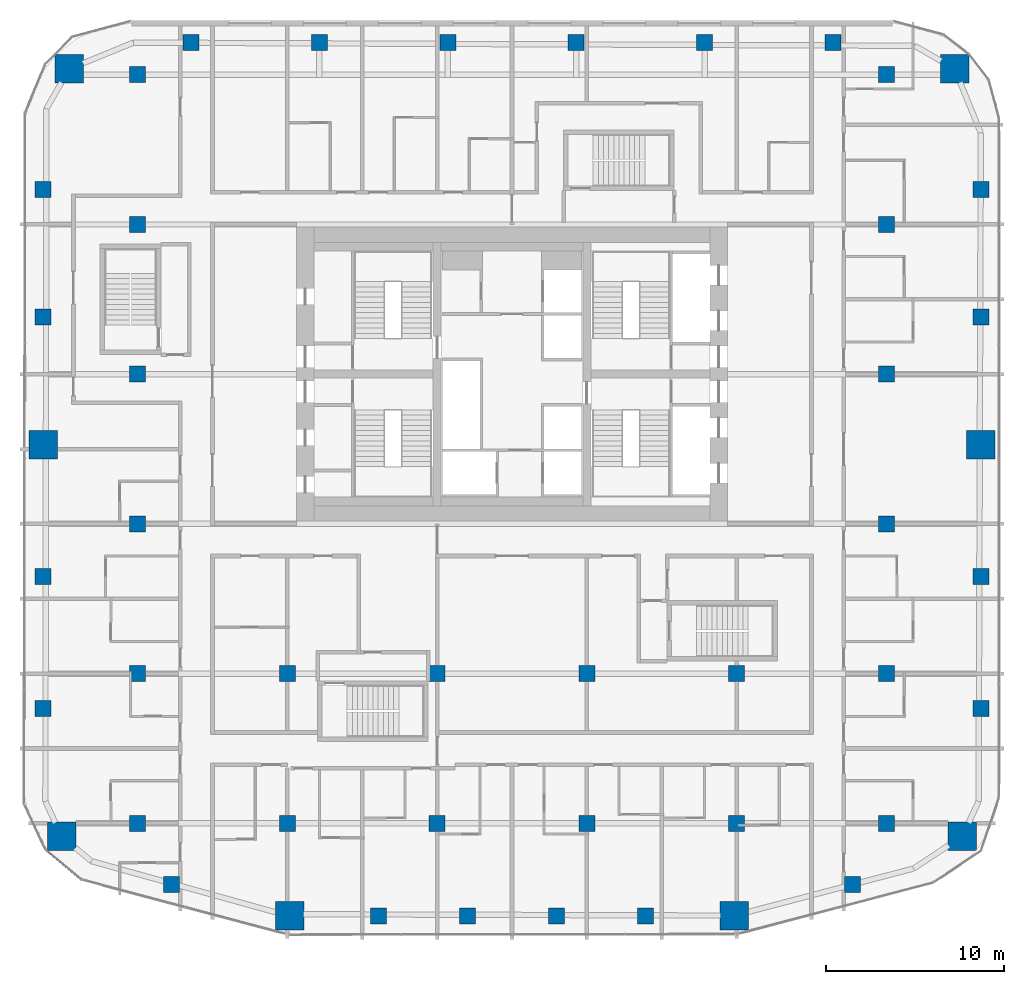
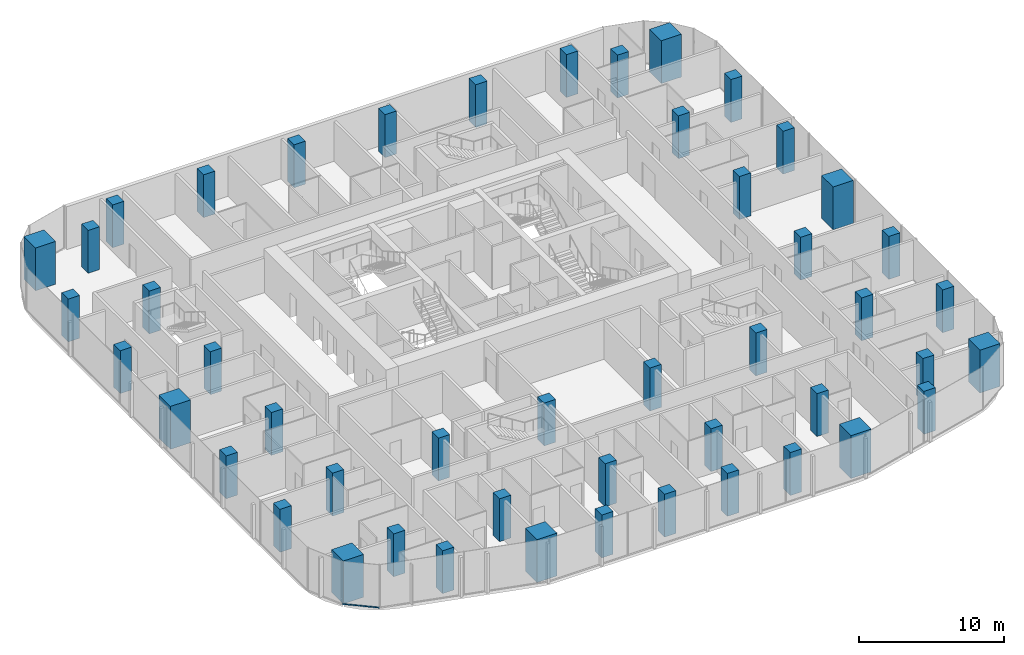
# One storey, part 1 of 23: 48 columns, 1 member, 1 element without a shape of its own.
"""IFC4 building model written with IfcOpenShell, lengths in metres."""

from ifc_helpers import new_model, si_unit, direction, frame, origin, origin_2d, place, context, subcontext, project, spatial, rectangle, extrude, material, layer, layer_set, material_profile, profile_set, type_object, element, aggregate, save


model = new_model("IFC4")

# Units and contexts
model_context = context("Model", 3, precision=1e-05, world=origin(), true_north=direction((0.0, 1.0)))
body_context = subcontext(model_context, "Body", "Model", "MODEL_VIEW")
ifc_project = project(units=[si_unit("LENGTHUNIT", "METRE"), si_unit("AREAUNIT", "SQUARE_METRE"), si_unit("VOLUMEUNIT", "CUBIC_METRE"), si_unit("PLANEANGLEUNIT", "RADIAN"), si_unit("MASSUNIT", "GRAM", prefix="KILO")], contexts=[model_context])

# Site, building, storey
site_placement = place(None, origin())
site = spatial("IfcSite", under=ifc_project, at=site_placement, CompositionType="ELEMENT")
building_placement = place(site_placement, origin())
building = spatial("IfcBuilding", under=site, at=building_placement, Name="Marenta Gate Hotel Tower", CompositionType="ELEMENT")
storey_placement = place(building_placement, frame((0.0, 0.0, 112.10009765625)))
storey = spatial("IfcBuildingStorey", under=building, at=storey_placement, Name="L24", CompositionType="ELEMENT", Elevation=112.10009765625)

# Columns
ifc_material_1 = material(Name="Concrete C70", Category="concrete")
ifc_material_profile_1 = material_profile(ifc_material_1, rectangle(XDim=0.89990234375, YDim=0.89990234375, at=origin_2d()), Name="900 x 900")
ifc_profile_set_1 = profile_set([ifc_material_profile_1], Name="Concrete C70")
column_type_1 = type_object("IfcColumnType", Name="Edge column 900 x 900 C70", PredefinedType="COLUMN", material=ifc_profile_set_1)
for number, where, z_axis, x_axis, name in (
    (1, (-26.300048828125, -10.351806640625, 0.0), (0.0, 0.0, 1.0), (1.0, 0.0, 0.0), "L24-EC-SW-W-1"),
    (2, (-26.300048828125, -2.950927734375, 0.0), (0.0, 0.0, 1.0), (1.0, 0.0, 0.0), "L24-EC-SW-W-2"),
    (3, (-26.300048828125, 11.603271484375, 0.0), (0.0, 0.0, 1.0), (1.0, 0.0, 0.0), "L24-EC-W-NW-1"),
    (4, (-26.300048828125, 18.75634765625, 0.0), (0.0, 0.0, 1.0), (1.0, 0.0, 0.0), "L24-EC-W-NW-2"),
    (5, (-18.0068359375, 27.0, 0.0), (0.0, 0.0, 1.0), (1.0, 0.0, 0.0), "L24-EC-NW-NE-1"),
    (6, (-10.80419921875, 27.0, 0.0), (0.0, 0.0, 1.0), (1.0, 0.0, 0.0), "L24-EC-NW-NE-2"),
    (7, (-3.601318359375, 27.0, 0.0), (0.0, 0.0, 1.0), (1.0, 0.0, 0.0), "L24-EC-NW-NE-3"),
    (8, (3.601318359375, 27.0, 0.0), (0.0, 0.0, 1.0), (1.0, 0.0, 0.0), "L24-EC-NW-NE-4"),
    (9, (10.80419921875, 27.0, 0.0), (0.0, 0.0, 1.0), (1.0, 0.0, 0.0), "L24-EC-NW-NE-5"),
    (10, (18.0068359375, 27.0, 0.0), (0.0, 0.0, 1.0), (1.0, 0.0, 0.0), "L24-EC-NW-NE-6"),
    (11, (26.300048828125, 18.75634765625, 0.0), (0.0, 0.0, 1.0), (1.0, 0.0, 0.0), "L24-EC-NE-E-1"),
    (12, (26.300048828125, 11.603271484375, 0.0), (0.0, 0.0, 1.0), (1.0, 0.0, 0.0), "L24-EC-NE-E-2"),
    (13, (26.300048828125, -2.950927734375, 0.0), (0.0, 0.0, 1.0), (1.0, 0.0, 0.0), "L24-EC-E-SE-1"),
    (14, (26.300048828125, -10.351806640625, 0.0), (0.0, 0.0, 1.0), (1.0, 0.0, 0.0), "L24-EC-E-SE-2"),
    (15, (19.106689453125, -20.239013671875, 0.0), (0.0, 0.0, 1.0), (1.0, 0.0, 0.0), "L24-EC-SE-SKE-1"),
    (16, (7.47998046875, -22.0, 0.0), (0.0, 0.0, 1.0), (1.0, 0.0, 0.0), "L24-EC-SKE-SKW-1"),
    (17, (2.493408203125, -22.0, 0.0), (0.0, 0.0, 1.0), (1.0, 0.0, 0.0), "L24-EC-SKE-SKW-2"),
    (18, (-2.493408203125, -22.0, 0.0), (0.0, 0.0, 1.0), (1.0, 0.0, 0.0), "L24-EC-SKE-SKW-3"),
    (19, (-7.47998046875, -22.0, 0.0), (0.0, 0.0, 1.0), (1.0, 0.0, 0.0), "L24-EC-SKE-SKW-4"),
    (20, (-19.106689453125, -20.239013671875, 0.0), (0.0, 0.0, 1.0), (1.0, 0.0, 0.0), "L24-EC-SKW-SW-1"),
):
    element("IfcColumn", number, at=place(storey_placement, frame(where, z_axis=z_axis, x_axis=x_axis)), inside=storey, type_object=column_type_1, Name=name, PredefinedType="COLUMN", context=body_context, shape_type="SweptSolid", body=[
        extrude(rectangle(XDim=0.89990234375, YDim=0.89990234375, at=origin_2d()), origin(), (0.0, 0.0, 1.0), 3.599853515625),
    ])
ifc_material_2 = material(Name="Concrete C70", Category="concrete")
ifc_material_profile_2 = material_profile(ifc_material_2, rectangle(XDim=0.89990234375, YDim=0.89990234375, at=origin_2d()), Name="900 x 900")
ifc_profile_set_2 = profile_set([ifc_material_profile_2], Name="Concrete C70")
column_type_2 = type_object("IfcColumnType", Name="Interior column 900 x 900 C70", PredefinedType="COLUMN", material=ifc_profile_set_2)
for number, where, z_axis, x_axis, name in (
    (21, (-21.0, -16.800048828125, 0.0), (0.0, 0.0, 1.0), (1.0, 0.0, 0.0), "L24-IC-4D"),
    (22, (-21.0, -8.39990234375, 0.0), (0.0, 0.0, 1.0), (1.0, 0.0, 0.0), "L24-IC-4E"),
    (23, (-21.0, 0.0, 0.0), (0.0, 0.0, 1.0), (1.0, 0.0, 0.0), "L24-IC-4F"),
    (24, (-21.0, 8.39990234375, 0.0), (0.0, 0.0, 1.0), (1.0, 0.0, 0.0), "L24-IC-4G"),
    (25, (-21.0, 16.800048828125, 0.0), (0.0, 0.0, 1.0), (1.0, 0.0, 0.0), "L24-IC-4H"),
    (26, (-21.0, 25.199951171875, 0.0), (0.0, 0.0, 1.0), (1.0, 0.0, 0.0), "L24-IC-4I"),
    (27, (-12.60009765625, -16.800048828125, 0.0), (0.0, 0.0, 1.0), (1.0, 0.0, 0.0), "L24-IC-5D"),
    (28, (-12.60009765625, -8.39990234375, 0.0), (0.0, 0.0, 1.0), (1.0, 0.0, 0.0), "L24-IC-5E"),
    (29, (-4.199951171875, -16.800048828125, 0.0), (0.0, 0.0, 1.0), (1.0, 0.0, 0.0), "L24-IC-6D"),
    (30, (-4.199951171875, -8.39990234375, 0.0), (0.0, 0.0, 1.0), (1.0, 0.0, 0.0), "L24-IC-6E"),
    (31, (4.199951171875, -16.800048828125, 0.0), (0.0, 0.0, 1.0), (1.0, 0.0, 0.0), "L24-IC-7D"),
    (32, (4.199951171875, -8.39990234375, 0.0), (0.0, 0.0, 1.0), (1.0, 0.0, 0.0), "L24-IC-7E"),
    (33, (12.60009765625, -16.800048828125, 0.0), (0.0, 0.0, 1.0), (1.0, 0.0, 0.0), "L24-IC-8D"),
    (34, (12.60009765625, -8.39990234375, 0.0), (0.0, 0.0, 1.0), (1.0, 0.0, 0.0), "L24-IC-8E"),
    (35, (21.0, -16.800048828125, 0.0), (0.0, 0.0, 1.0), (1.0, 0.0, 0.0), "L24-IC-9D"),
    (36, (21.0, -8.39990234375, 0.0), (0.0, 0.0, 1.0), (1.0, 0.0, 0.0), "L24-IC-9E"),
    (37, (21.0, 0.0, 0.0), (0.0, 0.0, 1.0), (1.0, 0.0, 0.0), "L24-IC-9F"),
    (38, (21.0, 8.39990234375, 0.0), (0.0, 0.0, 1.0), (1.0, 0.0, 0.0), "L24-IC-9G"),
    (39, (21.0, 16.800048828125, 0.0), (0.0, 0.0, 1.0), (1.0, 0.0, 0.0), "L24-IC-9H"),
    (40, (21.0, 25.199951171875, 0.0), (0.0, 0.0, 1.0), (1.0, 0.0, 0.0), "L24-IC-9I"),
):
    element("IfcColumn", number, at=place(storey_placement, frame(where, z_axis=z_axis, x_axis=x_axis)), inside=storey, type_object=column_type_2, Name=name, PredefinedType="COLUMN", context=body_context, shape_type="SweptSolid", body=[
        extrude(rectangle(XDim=0.89990234375, YDim=0.89990234375, at=origin_2d()), origin(), (0.0, 0.0, 1.0), 3.599853515625),
    ])
ifc_material_3 = material(Name="Concrete C70", Category="concrete")
ifc_material_profile_3 = material_profile(ifc_material_3, rectangle(XDim=1.60009765625, YDim=1.60009765625, at=origin_2d()), Name="1600 x 1600")
ifc_profile_set_3 = profile_set([ifc_material_profile_3], Name="Concrete C70")
column_type_3 = type_object("IfcColumnType", Name="Mega column 1600 x 1600 C70", PredefinedType="COLUMN", material=ifc_profile_set_3)
for number, where, z_axis, x_axis, name in (
    (41, (-25.262939453125, -17.532958984375, 0.0), (0.0, 0.0, 1.0), (1.0, 0.0, 0.0), "L24-MC-SW"),
    (42, (-12.46630859375, -21.974853515625, 0.0), (0.0, 0.0, 1.0), (1.0, 0.0, 0.0), "L24-MC-SKW"),
    (43, (12.46630859375, -21.974853515625, 0.0), (0.0, 0.0, 1.0), (1.0, 0.0, 0.0), "L24-MC-SKE"),
    (44, (25.262939453125, -17.532958984375, 0.0), (0.0, 0.0, 1.0), (1.0, 0.0, 0.0), "L24-MC-SE"),
    (45, (26.300048828125, 4.449951171875, 0.0), (0.0, 0.0, 1.0), (1.0, 0.0, 0.0), "L24-MC-E"),
    (46, (24.83544921875, 25.535400390625, 0.0), (0.0, 0.0, 1.0), (1.0, 0.0, 0.0), "L24-MC-NE"),
    (47, (-24.83544921875, 25.535400390625, 0.0), (0.0, 0.0, 1.0), (1.0, 0.0, 0.0), "L24-MC-NW"),
    (48, (-26.300048828125, 4.449951171875, 0.0), (0.0, 0.0, 1.0), (1.0, 0.0, 0.0), "L24-MC-W"),
):
    element("IfcColumn", number, at=place(storey_placement, frame(where, z_axis=z_axis, x_axis=x_axis)), inside=storey, type_object=column_type_3, Name=name, PredefinedType="COLUMN", context=body_context, shape_type="SweptSolid", body=[
        extrude(rectangle(XDim=1.60009765625, YDim=1.60009765625, at=origin_2d()), origin(), (0.0, 0.0, 1.0), 3.599853515625),
    ])

# Curtain wall, member
ifc_material_4 = material(Name="Tinted insulated glass in bronze anodised frame", Category="glass")
ifc_layer = layer(ifc_material_4, 0.1201171875)
ifc_layer_set = layer_set([ifc_layer], Name="Tinted insulated glass in bronze anodised frame")
curtain_wall_type = type_object("IfcCurtainWallType", Name="Tower unitised curtain wall CW1", PredefinedType="NOTDEFINED", material=ifc_layer_set)
curtain_wall_placement = place(storey_placement, origin())
curtain_wall = element("IfcCurtainWall", 49, at=curtain_wall_placement, inside=storey, type_object=curtain_wall_type, Name="CW1 run G05", PredefinedType="NOTDEFINED")
ifc_material_5 = material(Name="Bronze anodised aluminium", Category="aluminium")
ifc_material_profile_4 = material_profile(ifc_material_5, rectangle(XDim=0.1201171875, YDim=0.06005859375, at=origin_2d()), Name="Transom CW1 60x120 bronze anodised aluminium")
ifc_profile_set_4 = profile_set([ifc_material_profile_4], Name="Bronze anodised aluminium")
member_type = type_object("IfcMemberType", Name="Transom CW1 60x120 bronze anodised aluminium", PredefinedType="USERDEFINED", material=ifc_profile_set_4)
member_placement = place(storey_placement, frame((-26.12890625, -18.296142578125, 0.02978515625), z_axis=(0.767116735682, -0.641507532175, 0.0), x_axis=(0.641507532175, 0.767116735682, 0.0)))
member = element("IfcMember", 50, at=member_placement, type_object=member_type, Name="CW1 transom 1.1", ObjectType="TRANSOM", PredefinedType="USERDEFINED", context=body_context, shape_type="SweptSolid", body=[
    extrude(rectangle(XDim=0.1201171875, YDim=0.06005859375, at=origin_2d()), origin(), (0.0, 0.0, 1.0), 2.575439453125),
])
aggregate(curtain_wall, [member])

save(model, "model.ifc")
